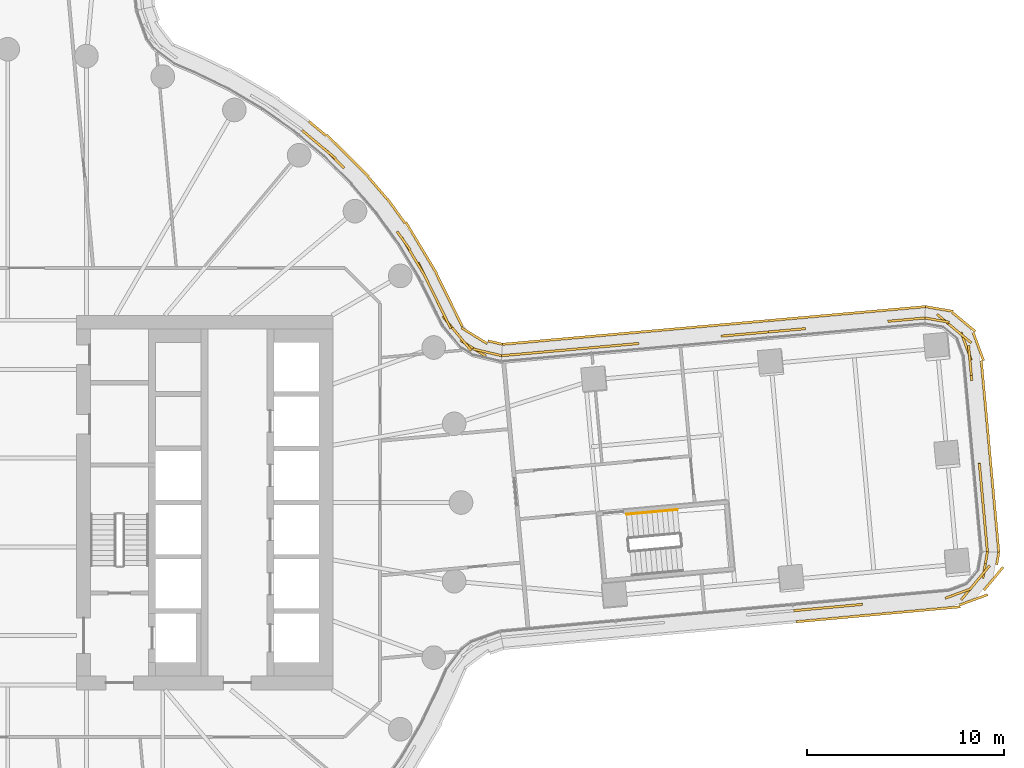
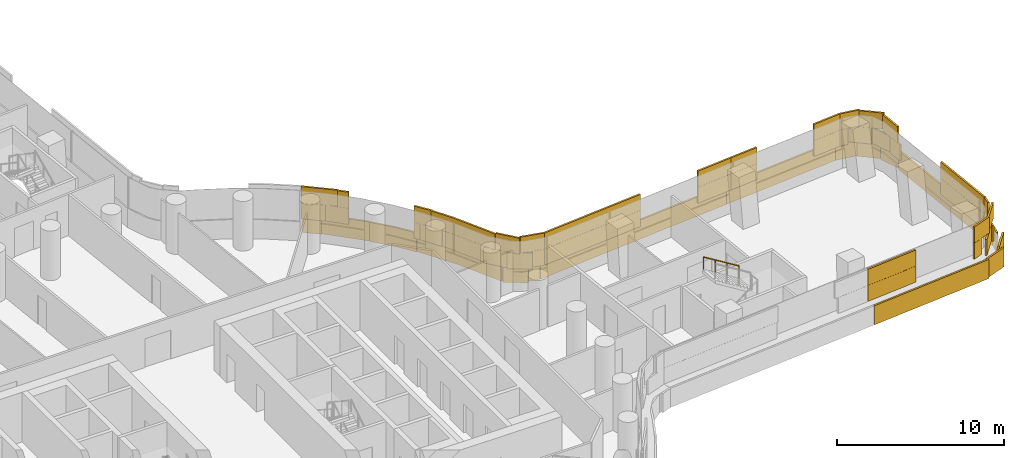
# One storey, part 29 of 31: 5 coverings, 1 railing.
"""IFC4 building model written with IfcOpenShell, lengths in metres."""

from ifc_helpers import new_model, si_unit, direction, frame, origin, origin_2d, place, context, subcontext, project, spatial, rectangle, circle, extrude, material, layer, layer_set, type_object, element, save


model = new_model("IFC4")

# Units and contexts
model_context = context("Model", 3, precision=1e-05, world=origin(), true_north=direction((0.0, 1.0)))
body_context = subcontext(model_context, "Body", "Model", "MODEL_VIEW")
ifc_project = project(units=[si_unit("LENGTHUNIT", "METRE"), si_unit("AREAUNIT", "SQUARE_METRE"), si_unit("VOLUMEUNIT", "CUBIC_METRE"), si_unit("PLANEANGLEUNIT", "RADIAN"), si_unit("MASSUNIT", "GRAM", prefix="KILO")], contexts=[model_context])

# Site, building, storey
site_placement = place(None, origin())
site = spatial("IfcSite", under=ifc_project, at=site_placement, CompositionType="ELEMENT")
building_placement = place(site_placement, origin())
building = spatial("IfcBuilding", under=site, at=building_placement, Name="Tamarind Cross Interchange Tower", CompositionType="ELEMENT")
storey_placement = place(building_placement, frame((0.0, 0.0, 52.75)))
storey = spatial("IfcBuildingStorey", under=building, at=storey_placement, Name="L11", CompositionType="ELEMENT", Elevation=52.75)

# Railing
ifc_material_1 = material(Name="Stair handrail")
railing_type = type_object("IfcRailingType", Name="Stair handrail", PredefinedType="HANDRAIL", material=ifc_material_1)
railing_placement = place(storey_placement, frame((33.982666015625, -0.360595703125, 2.04541015625)))
element("IfcRailing", 1, at=railing_placement, inside=storey, type_object=railing_type, Name="L11 ST3 stair handrail 2", PredefinedType="HANDRAIL", context=body_context, shape_type="SweptSolid", body=[
    extrude(circle(Radius=0.02392578125, at=origin_2d()), frame((0.0, 0.0, 0.8759765625), z_axis=(-0.832837574825, -0.076090855177, 0.548262487972), x_axis=(0.090984432689, -0.995852314858, 0.0)), (0.0, 0.0, 1.0), 3.109130859375),
    extrude(circle(Radius=0.02099609375, at=origin_2d()), origin(), (0.0, 0.0, 1.0), 0.851806640625),
    extrude(circle(Radius=0.02099609375, at=origin_2d()), frame((-0.863037109375, -0.078857421875, 0.568115234375)), (0.0, 0.0, 1.0), 0.851806640625),
    extrude(circle(Radius=0.02099609375, at=origin_2d()), frame((-1.726318359375, -0.15771484375, 1.136474609375)), (0.0, 0.0, 1.0), 0.851806640625),
    extrude(circle(Radius=0.02099609375, at=origin_2d()), frame((-2.58935546875, -0.236572265625, 1.70458984375)), (0.0, 0.0, 1.0), 0.851806640625),
])

# Coverings
ifc_material_2 = material(Name="Terracotta", Category="masonry")
ifc_layer = layer(ifc_material_2, 0.1201171875)
ifc_layer_set = layer_set([ifc_layer], Name="Terracotta")
covering_type = type_object("IfcCoveringType", Name="Terracotta baguette screen unit", PredefinedType="MOLDING", material=ifc_layer_set)
covering_1_placement = place(storey_placement, origin())
element("IfcCovering", 2, at=covering_1_placement, inside=storey, type_object=covering_type, Name="SCR-L11-11-01", PredefinedType="MOLDING", context=body_context, shape_type="SweptSolid", body=[
    extrude(rectangle(XDim=0.852294921875, YDim=0.1201171875, at=origin_2d()), frame((40.3046875, -5.446044921875, 1.404052734375), z_axis=(0.0, 0.0, 1.0), x_axis=(0.995846347162, 0.091049727316, 0.0)), (0.0, 0.0, 1.0), 1.1669921875),
    extrude(rectangle(XDim=1.52001953125, YDim=0.1201171875, at=origin_2d()), frame((41.470947265625, -5.33935546875, 1.404052734375), z_axis=(0.0, 0.0, 1.0), x_axis=(0.995846347162, 0.091049727316, 0.0)), (0.0, 0.0, 1.0), 1.1669921875),
    extrude(rectangle(XDim=1.16796875, YDim=0.1201171875, at=origin_2d()), frame((42.79443359375, -5.21826171875, 1.404052734375), z_axis=(0.0, 0.0, 1.0), x_axis=(0.995846347162, 0.091049727316, 0.0)), (0.0, 0.0, 1.0), 1.1669921875),
    extrude(rectangle(XDim=0.652099609375, YDim=0.1201171875, at=origin_2d()), frame((47.870361328125, -4.7421875, 1.404052734375), z_axis=(0.0, 0.0, 1.0), x_axis=(0.938348302259, 0.345691283732, 0.0)), (0.0, 0.0, 1.0), 1.1669921875),
    extrude(rectangle(XDim=1.52001953125, YDim=0.1201171875, at=origin_2d()), frame((48.861572265625, -4.35205078125, 1.404052734375), z_axis=(0.0, 0.0, 1.0), x_axis=(0.639787825488, 0.768551584708, 0.0)), (0.0, 0.0, 1.0), 1.1669921875),
    extrude(rectangle(XDim=1.3681640625, YDim=0.1201171875, at=origin_2d()), frame((49.591552734375, -3.168701171875, 1.404052734375), z_axis=(0.0, 0.0, 1.0), x_axis=(0.16979671755, 0.98547910922, 0.0)), (0.0, 0.0, 1.0), 1.1669921875),
    extrude(rectangle(XDim=0.102294921875, YDim=0.1201171875, at=origin_2d()), frame((39.93115234375, -5.480224609375, 2.5791015625), z_axis=(0.0, 0.0, 1.0), x_axis=(0.995846347162, 0.091049727316, 0.0)), (0.0, 0.0, 1.0), 1.1669921875),
    extrude(rectangle(XDim=1.52001953125, YDim=0.1201171875, at=origin_2d()), frame((40.723876953125, -5.40771484375, 2.5791015625), z_axis=(0.0, 0.0, 1.0), x_axis=(0.995846347162, 0.091049727316, 0.0)), (0.0, 0.0, 1.0), 1.1669921875),
    extrude(rectangle(XDim=1.52001953125, YDim=0.1201171875, at=origin_2d()), frame((42.2177734375, -5.27099609375, 2.5791015625), z_axis=(0.0, 0.0, 1.0), x_axis=(0.995846347162, 0.091049727316, 0.0)), (0.0, 0.0, 1.0), 1.1669921875),
    extrude(rectangle(XDim=0.41796875, YDim=0.1201171875, at=origin_2d()), frame((43.167724609375, -5.184326171875, 2.5791015625), z_axis=(0.0, 0.0, 1.0), x_axis=(0.995846347162, 0.091049727316, 0.0)), (0.0, 0.0, 1.0), 1.1669921875),
    extrude(rectangle(XDim=1.402099609375, YDim=0.1201171875, at=origin_2d()), frame((48.222412109375, -4.612548828125, 2.5791015625), z_axis=(0.0, 0.0, 1.0), x_axis=(0.938348302259, 0.345691283732, 0.0)), (0.0, 0.0, 1.0), 1.1669921875),
    extrude(rectangle(XDim=1.52001953125, YDim=0.1201171875, at=origin_2d()), frame((49.34130859375, -3.775634765625, 2.5791015625), z_axis=(0.0, 0.0, 1.0), x_axis=(0.639787825488, 0.768551584708, 0.0)), (0.0, 0.0, 1.0), 1.1669921875),
    extrude(rectangle(XDim=0.6181640625, YDim=0.1201171875, at=origin_2d()), frame((49.6552734375, -2.799072265625, 2.5791015625), z_axis=(0.0, 0.0, 1.0), x_axis=(0.16979671755, 0.98547910922, 0.0)), (0.0, 0.0, 1.0), 1.1669921875),
    extrude(rectangle(XDim=0.850341796875, YDim=0.1201171875, at=origin_2d()), frame((40.43505859375, -6.010498046875, 0.00390625), z_axis=(0.0, 0.0, 1.0), x_axis=(0.995846347162, 0.091049727316, 0.0)), (0.0, 0.0, 1.0), 1.39208984375),
    extrude(rectangle(XDim=1.52001953125, YDim=0.1201171875, at=origin_2d()), frame((41.595458984375, -5.904296875, 0.00390625), z_axis=(0.0, 0.0, 1.0), x_axis=(0.995846347162, 0.091049727316, 0.0)), (0.0, 0.0, 1.0), 1.39208984375),
    extrude(rectangle(XDim=1.52001953125, YDim=0.1201171875, at=origin_2d()), frame((43.089111328125, -5.767822265625, 0.00390625), z_axis=(0.0, 0.0, 1.0), x_axis=(0.995846347162, 0.091049727316, 0.0)), (0.0, 0.0, 1.0), 1.39208984375),
    extrude(rectangle(XDim=1.52001953125, YDim=0.1201171875, at=origin_2d()), frame((44.5830078125, -5.631103515625, 0.00390625), z_axis=(0.0, 0.0, 1.0), x_axis=(0.995846347162, 0.091049727316, 0.0)), (0.0, 0.0, 1.0), 1.39208984375),
    extrude(rectangle(XDim=1.52001953125, YDim=0.1201171875, at=origin_2d()), frame((46.07666015625, -5.49462890625, 0.00390625), z_axis=(0.0, 0.0, 1.0), x_axis=(0.995846347162, 0.091049727316, 0.0)), (0.0, 0.0, 1.0), 1.39208984375),
    extrude(rectangle(XDim=1.52001953125, YDim=0.1201171875, at=origin_2d()), frame((47.570556640625, -5.358154296875, 0.00390625), z_axis=(0.0, 0.0, 1.0), x_axis=(0.995846347162, 0.091049727316, 0.0)), (0.0, 0.0, 1.0), 1.39208984375),
    extrude(rectangle(XDim=1.52001953125, YDim=0.1201171875, at=origin_2d()), frame((49.000244140625, -4.9375, 0.00390625), z_axis=(0.0, 0.0, 1.0), x_axis=(0.938348302259, 0.345691283732, 0.0)), (0.0, 0.0, 1.0), 1.39208984375),
    extrude(rectangle(XDim=1.52001953125, YDim=0.1201171875, at=origin_2d()), frame((50.015380859375, -3.86328125, 0.00390625), z_axis=(0.0, 0.0, 1.0), x_axis=(0.639787825488, 0.768551584708, 0.0)), (0.0, 0.0, 1.0), 1.39208984375),
    extrude(rectangle(XDim=0.637451171875, YDim=0.1201171875, at=origin_2d()), frame((50.231201171875, -2.836669921875, 0.00390625), z_axis=(0.0, 0.0, 1.0), x_axis=(0.16979671755, 0.98547910922, 0.0)), (0.0, 0.0, 1.0), 1.39208984375),
])
covering_2_placement = place(storey_placement, origin())
element("IfcCovering", 3, at=covering_2_placement, inside=storey, type_object=covering_type, Name="SCR-L11-12-00", PredefinedType="MOLDING", context=body_context, shape_type="SweptSolid", body=[
    extrude(rectangle(XDim=0.760009765625, YDim=0.1201171875, at=origin_2d()), frame((49.672607421875, -2.1259765625, 1.404052734375), z_axis=(0.0, 0.0, 1.0), x_axis=(-0.091049727316, 0.995846347162, 0.0)), (0.0, 0.0, 1.0), 1.1669921875),
    extrude(rectangle(XDim=1.52001953125, YDim=0.1201171875, at=origin_2d()), frame((49.5703125, -1.005859375, 1.404052734375), z_axis=(0.0, 0.0, 1.0), x_axis=(-0.091049727316, 0.995846347162, 0.0)), (0.0, 0.0, 1.0), 1.1669921875),
    extrude(rectangle(XDim=1.52001953125, YDim=0.1201171875, at=origin_2d()), frame((49.43359375, 0.488037109375, 1.404052734375), z_axis=(0.0, 0.0, 1.0), x_axis=(-0.091049727316, 0.995846347162, 0.0)), (0.0, 0.0, 1.0), 1.1669921875),
    extrude(rectangle(XDim=0.78466796875, YDim=0.1201171875, at=origin_2d()), frame((49.330078125, 1.62060546875, 1.404052734375), z_axis=(0.0, 0.0, 1.0), x_axis=(-0.091049727316, 0.995846347162, 0.0)), (0.0, 0.0, 1.0), 1.1669921875),
    extrude(rectangle(XDim=1.03515625, YDim=0.1201171875, at=origin_2d()), frame((48.86572265625, 6.699462890625, 1.404052734375), z_axis=(0.0, 0.0, 1.0), x_axis=(-0.091049727316, 0.995846347162, 0.0)), (0.0, 0.0, 1.0), 1.1669921875),
    extrude(rectangle(XDim=1.52001953125, YDim=0.1201171875, at=origin_2d()), frame((48.62939453125, 7.929443359375, 1.404052734375), z_axis=(0.0, 0.0, 1.0), x_axis=(-0.345691283732, 0.938348302259, 0.0)), (0.0, 0.0, 1.0), 1.1669921875),
    extrude(rectangle(XDim=1.52001953125, YDim=0.1201171875, at=origin_2d()), frame((47.728271484375, 9.06689453125, 1.404052734375), z_axis=(0.0, 0.0, 1.0), x_axis=(-0.768551584708, 0.639787825488, 0.0)), (0.0, 0.0, 1.0), 1.1669921875),
    extrude(rectangle(XDim=0.509521484375, YDim=0.1201171875, at=origin_2d()), frame((46.78173828125, 9.3203125, 1.404052734375), z_axis=(0.0, 0.0, 1.0), x_axis=(-0.98547910922, 0.16979671755, 0.0)), (0.0, 0.0, 1.0), 1.1669921875),
    extrude(rectangle(XDim=1.510009765625, YDim=0.1201171875, at=origin_2d()), frame((49.638427734375, -1.752685546875, 2.5791015625), z_axis=(0.0, 0.0, 1.0), x_axis=(-0.091049727316, 0.995846347162, 0.0)), (0.0, 0.0, 1.0), 1.1669921875),
    extrude(rectangle(XDim=1.52001953125, YDim=0.1201171875, at=origin_2d()), frame((49.501953125, -0.2587890625, 2.5791015625), z_axis=(0.0, 0.0, 1.0), x_axis=(-0.091049727316, 0.995846347162, 0.0)), (0.0, 0.0, 1.0), 1.1669921875),
    extrude(rectangle(XDim=1.52001953125, YDim=0.1201171875, at=origin_2d()), frame((49.365478515625, 1.23486328125, 2.5791015625), z_axis=(0.0, 0.0, 1.0), x_axis=(-0.091049727316, 0.995846347162, 0.0)), (0.0, 0.0, 1.0), 1.1669921875),
    extrude(rectangle(XDim=1.52001953125, YDim=0.1201171875, at=origin_2d()), frame((48.819091796875, 7.2099609375, 2.5791015625), z_axis=(0.0, 0.0, 1.0), x_axis=(-0.091049727316, 0.995846347162, 0.0)), (0.0, 0.0, 1.0), 1.1669921875),
    extrude(rectangle(XDim=1.52001953125, YDim=0.1201171875, at=origin_2d()), frame((48.3046875, 8.5869140625, 2.5791015625), z_axis=(0.0, 0.0, 1.0), x_axis=(-0.768551584708, 0.639787825488, 0.0)), (0.0, 0.0, 1.0), 1.1669921875),
    extrude(rectangle(XDim=1.259521484375, YDim=0.1201171875, at=origin_2d()), frame((47.151123046875, 9.2568359375, 2.5791015625), z_axis=(0.0, 0.0, 1.0), x_axis=(-0.98547910922, 0.16979671755, 0.0)), (0.0, 0.0, 1.0), 1.1669921875),
    extrude(rectangle(XDim=0.760009765625, YDim=0.1201171875, at=origin_2d()), frame((50.250732421875, -2.14404296875, 0.00390625), z_axis=(0.0, 0.0, 1.0), x_axis=(-0.091049727316, 0.995846347162, 0.0)), (0.0, 0.0, 1.0), 1.39208984375),
    extrude(rectangle(XDim=1.52001953125, YDim=0.1201171875, at=origin_2d()), frame((50.148681640625, -1.02880859375, 0.00390625), z_axis=(0.0, 0.0, 1.0), x_axis=(-0.091049727316, 0.995846347162, 0.0)), (0.0, 0.0, 1.0), 1.39208984375),
    extrude(rectangle(XDim=1.52001953125, YDim=0.1201171875, at=origin_2d()), frame((50.01220703125, 0.465087890625, 0.00390625), z_axis=(0.0, 0.0, 1.0), x_axis=(-0.091049727316, 0.995846347162, 0.0)), (0.0, 0.0, 1.0), 1.39208984375),
    extrude(rectangle(XDim=1.52001953125, YDim=0.1201171875, at=origin_2d()), frame((49.87548828125, 1.958740234375, 0.00390625), z_axis=(0.0, 0.0, 1.0), x_axis=(-0.091049727316, 0.995846347162, 0.0)), (0.0, 0.0, 1.0), 1.39208984375),
    extrude(rectangle(XDim=1.52001953125, YDim=0.1201171875, at=origin_2d()), frame((49.739013671875, 3.45263671875, 0.00390625), z_axis=(0.0, 0.0, 1.0), x_axis=(-0.091049727316, 0.995846347162, 0.0)), (0.0, 0.0, 1.0), 1.39208984375),
    extrude(rectangle(XDim=1.52001953125, YDim=0.1201171875, at=origin_2d()), frame((49.6025390625, 4.9462890625, 0.00390625), z_axis=(0.0, 0.0, 1.0), x_axis=(-0.091049727316, 0.995846347162, 0.0)), (0.0, 0.0, 1.0), 1.39208984375),
    extrude(rectangle(XDim=1.52001953125, YDim=0.1201171875, at=origin_2d()), frame((49.4658203125, 6.440185546875, 0.00390625), z_axis=(0.0, 0.0, 1.0), x_axis=(-0.091049727316, 0.995846347162, 0.0)), (0.0, 0.0, 1.0), 1.39208984375),
    extrude(rectangle(XDim=1.52001953125, YDim=0.1201171875, at=origin_2d()), frame((49.24658203125, 7.915283203125, 0.00390625), z_axis=(0.0, 0.0, 1.0), x_axis=(-0.345691283732, 0.938348302259, 0.0)), (0.0, 0.0, 1.0), 1.39208984375),
    extrude(rectangle(XDim=1.52001953125, YDim=0.1201171875, at=origin_2d()), frame((48.506103515625, 9.166015625, 0.00390625), z_axis=(0.0, 0.0, 1.0), x_axis=(-0.768551584708, 0.639787825488, 0.0)), (0.0, 0.0, 1.0), 1.39208984375),
    extrude(rectangle(XDim=1.42626953125, YDim=0.1201171875, at=origin_2d()), frame((47.261962890625, 9.820068359375, 0.00390625), z_axis=(0.0, 0.0, 1.0), x_axis=(-0.98547910922, 0.16979671755, 0.0)), (0.0, 0.0, 1.0), 1.39208984375),
])
covering_3_placement = place(storey_placement, origin())
element("IfcCovering", 4, at=covering_3_placement, inside=storey, type_object=covering_type, Name="SCR-L11-13-00", PredefinedType="MOLDING", context=body_context, shape_type="SweptSolid", body=[
    extrude(rectangle(XDim=0.760009765625, YDim=0.1201171875, at=origin_2d()), frame((46.162109375, 9.32958984375, 1.404052734375), z_axis=(0.0, 0.0, 1.0), x_axis=(-0.996059781171, -0.088684340968, 0.0)), (0.0, 0.0, 1.0), 1.1669921875),
    extrude(rectangle(XDim=1.146484375, YDim=0.1201171875, at=origin_2d()), frame((45.222412109375, 9.245849609375, 1.404052734375), z_axis=(0.0, 0.0, 1.0), x_axis=(-0.996059781171, -0.088684340968, 0.0)), (0.0, 0.0, 1.0), 1.1669921875),
    extrude(rectangle(XDim=0.673583984375, YDim=0.1201171875, at=origin_2d()), frame((40.142578125, 8.793701171875, 1.404052734375), z_axis=(0.0, 0.0, 1.0), x_axis=(-0.996059781171, -0.088684340968, 0.0)), (0.0, 0.0, 1.0), 1.1669921875),
    extrude(rectangle(XDim=1.233154296875, YDim=0.1201171875, at=origin_2d()), frame((39.202880859375, 8.7099609375, 1.404052734375), z_axis=(0.0, 0.0, 1.0), x_axis=(-0.996059781171, -0.088684340968, 0.0)), (0.0, 0.0, 1.0), 1.1669921875),
    extrude(rectangle(XDim=1.510009765625, YDim=0.1201171875, at=origin_2d()), frame((45.78857421875, 9.29638671875, 2.5791015625), z_axis=(0.0, 0.0, 1.0), x_axis=(-0.996059781171, -0.088684340968, 0.0)), (0.0, 0.0, 1.0), 1.1669921875),
    extrude(rectangle(XDim=0.396484375, YDim=0.1201171875, at=origin_2d()), frame((44.848876953125, 9.212646484375, 2.5791015625), z_axis=(0.0, 0.0, 1.0), x_axis=(-0.996059781171, -0.088684340968, 0.0)), (0.0, 0.0, 1.0), 1.1669921875),
    extrude(rectangle(XDim=1.423583984375, YDim=0.1201171875, at=origin_2d()), frame((39.76904296875, 8.76025390625, 2.5791015625), z_axis=(0.0, 0.0, 1.0), x_axis=(-0.996059781171, -0.088684340968, 0.0)), (0.0, 0.0, 1.0), 1.1669921875),
    extrude(rectangle(XDim=0.483154296875, YDim=0.1201171875, at=origin_2d()), frame((38.82958984375, 8.6767578125, 2.5791015625), z_axis=(0.0, 0.0, 1.0), x_axis=(-0.996059781171, -0.088684340968, 0.0)), (0.0, 0.0, 1.0), 1.1669921875),
    extrude(rectangle(XDim=0.760009765625, YDim=0.1201171875, at=origin_2d()), frame((46.1806640625, 9.907470703125, 0.00390625), z_axis=(0.0, 0.0, 1.0), x_axis=(-0.996059781171, -0.088684340968, 0.0)), (0.0, 0.0, 1.0), 1.39208984375),
    extrude(rectangle(XDim=1.52001953125, YDim=0.1201171875, at=origin_2d()), frame((45.065185546875, 9.80810546875, 0.00390625), z_axis=(0.0, 0.0, 1.0), x_axis=(-0.996059781171, -0.088684340968, 0.0)), (0.0, 0.0, 1.0), 1.39208984375),
    extrude(rectangle(XDim=1.52001953125, YDim=0.1201171875, at=origin_2d()), frame((43.571044921875, 9.675048828125, 0.00390625), z_axis=(0.0, 0.0, 1.0), x_axis=(-0.996059781171, -0.088684340968, 0.0)), (0.0, 0.0, 1.0), 1.39208984375),
    extrude(rectangle(XDim=1.52001953125, YDim=0.1201171875, at=origin_2d()), frame((42.076904296875, 9.5419921875, 0.00390625), z_axis=(0.0, 0.0, 1.0), x_axis=(-0.996059781171, -0.088684340968, 0.0)), (0.0, 0.0, 1.0), 1.39208984375),
    extrude(rectangle(XDim=1.52001953125, YDim=0.1201171875, at=origin_2d()), frame((40.582763671875, 9.4091796875, 0.00390625), z_axis=(0.0, 0.0, 1.0), x_axis=(-0.996059781171, -0.088684340968, 0.0)), (0.0, 0.0, 1.0), 1.39208984375),
    extrude(rectangle(XDim=1.2265625, YDim=0.1201171875, at=origin_2d()), frame((39.23486328125, 9.2890625, 0.00390625), z_axis=(0.0, 0.0, 1.0), x_axis=(-0.996059781171, -0.088684340968, 0.0)), (0.0, 0.0, 1.0), 1.39208984375),
])
covering_4_placement = place(storey_placement, origin())
element("IfcCovering", 5, at=covering_4_placement, inside=storey, type_object=covering_type, Name="SCR-L11-13-01", PredefinedType="MOLDING", context=body_context, shape_type="SweptSolid", body=[
    extrude(rectangle(XDim=0.286865234375, YDim=0.1201171875, at=origin_2d()), frame((38.4560546875, 8.6435546875, 1.404052734375), z_axis=(0.0, 0.0, 1.0), x_axis=(-0.996059781171, -0.088684340968, 0.0)), (0.0, 0.0, 1.0), 1.1669921875),
    extrude(rectangle(XDim=1.52001953125, YDim=0.1201171875, at=origin_2d()), frame((37.571044921875, 8.564697265625, 1.404052734375), z_axis=(0.0, 0.0, 1.0), x_axis=(-0.996059781171, -0.088684340968, 0.0)), (0.0, 0.0, 1.0), 1.1669921875),
    extrude(rectangle(XDim=0.632568359375, YDim=0.1201171875, at=origin_2d()), frame((36.513916015625, 8.470458984375, 1.404052734375), z_axis=(0.0, 0.0, 1.0), x_axis=(-0.996059781171, -0.088684340968, 0.0)), (0.0, 0.0, 1.0), 1.1669921875),
    extrude(rectangle(XDim=1.1875, YDim=0.1201171875, at=origin_2d()), frame((31.43408203125, 8.018310546875, 1.404052734375), z_axis=(0.0, 0.0, 1.0), x_axis=(-0.996059781171, -0.088684340968, 0.0)), (0.0, 0.0, 1.0), 1.1669921875),
    extrude(rectangle(XDim=1.52001953125, YDim=0.1201171875, at=origin_2d()), frame((30.1005859375, 7.8994140625, 1.404052734375), z_axis=(0.0, 0.0, 1.0), x_axis=(-0.996059781171, -0.088684340968, 0.0)), (0.0, 0.0, 1.0), 1.1669921875),
    extrude(rectangle(XDim=1.52001953125, YDim=0.1201171875, at=origin_2d()), frame((28.6064453125, 7.7666015625, 1.404052734375), z_axis=(0.0, 0.0, 1.0), x_axis=(-0.996059781171, -0.088684340968, 0.0)), (0.0, 0.0, 1.0), 1.1669921875),
    extrude(rectangle(XDim=1.52001953125, YDim=0.1201171875, at=origin_2d()), frame((27.1123046875, 7.633544921875, 1.404052734375), z_axis=(0.0, 0.0, 1.0), x_axis=(-0.996059781171, -0.088684340968, 0.0)), (0.0, 0.0, 1.0), 1.1669921875),
    extrude(rectangle(XDim=1.320556640625, YDim=0.1201171875, at=origin_2d()), frame((25.712646484375, 7.5087890625, 1.404052734375), z_axis=(0.0, 0.0, 1.0), x_axis=(-0.996059781171, -0.088684340968, 0.0)), (0.0, 0.0, 1.0), 1.1669921875),
    extrude(rectangle(XDim=1.036865234375, YDim=0.1201171875, at=origin_2d()), frame((38.08251953125, 8.610107421875, 2.5791015625), z_axis=(0.0, 0.0, 1.0), x_axis=(-0.996059781171, -0.088684340968, 0.0)), (0.0, 0.0, 1.0), 1.1669921875),
    extrude(rectangle(XDim=1.382568359375, YDim=0.1201171875, at=origin_2d()), frame((36.887451171875, 8.50390625, 2.5791015625), z_axis=(0.0, 0.0, 1.0), x_axis=(-0.996059781171, -0.088684340968, 0.0)), (0.0, 0.0, 1.0), 1.1669921875),
    extrude(rectangle(XDim=0.4375, YDim=0.1201171875, at=origin_2d()), frame((31.8076171875, 8.051513671875, 2.5791015625), z_axis=(0.0, 0.0, 1.0), x_axis=(-0.996059781171, -0.088684340968, 0.0)), (0.0, 0.0, 1.0), 1.1669921875),
    extrude(rectangle(XDim=1.52001953125, YDim=0.1201171875, at=origin_2d()), frame((30.84765625, 7.966064453125, 2.5791015625), z_axis=(0.0, 0.0, 1.0), x_axis=(-0.996059781171, -0.088684340968, 0.0)), (0.0, 0.0, 1.0), 1.1669921875),
    extrude(rectangle(XDim=1.52001953125, YDim=0.1201171875, at=origin_2d()), frame((29.353515625, 7.8330078125, 2.5791015625), z_axis=(0.0, 0.0, 1.0), x_axis=(-0.996059781171, -0.088684340968, 0.0)), (0.0, 0.0, 1.0), 1.1669921875),
    extrude(rectangle(XDim=1.52001953125, YDim=0.1201171875, at=origin_2d()), frame((27.859375, 7.699951171875, 2.5791015625), z_axis=(0.0, 0.0, 1.0), x_axis=(-0.996059781171, -0.088684340968, 0.0)), (0.0, 0.0, 1.0), 1.1669921875),
    extrude(rectangle(XDim=1.52001953125, YDim=0.1201171875, at=origin_2d()), frame((26.365234375, 7.56689453125, 2.5791015625), z_axis=(0.0, 0.0, 1.0), x_axis=(-0.996059781171, -0.088684340968, 0.0)), (0.0, 0.0, 1.0), 1.1669921875),
    extrude(rectangle(XDim=0.570556640625, YDim=0.1201171875, at=origin_2d()), frame((25.339111328125, 7.4755859375, 2.5791015625), z_axis=(0.0, 0.0, 1.0), x_axis=(-0.996059781171, -0.088684340968, 0.0)), (0.0, 0.0, 1.0), 1.1669921875),
    extrude(rectangle(XDim=0.29345703125, YDim=0.1201171875, at=origin_2d()), frame((38.47802734375, 9.2216796875, 0.00390625), z_axis=(0.0, 0.0, 1.0), x_axis=(-0.996059781171, -0.088684340968, 0.0)), (0.0, 0.0, 1.0), 1.39208984375),
    extrude(rectangle(XDim=1.52001953125, YDim=0.1201171875, at=origin_2d()), frame((37.5947265625, 9.14306640625, 0.00390625), z_axis=(0.0, 0.0, 1.0), x_axis=(-0.996059781171, -0.088684340968, 0.0)), (0.0, 0.0, 1.0), 1.39208984375),
    extrude(rectangle(XDim=1.52001953125, YDim=0.1201171875, at=origin_2d()), frame((36.1005859375, 9.010009765625, 0.00390625), z_axis=(0.0, 0.0, 1.0), x_axis=(-0.996059781171, -0.088684340968, 0.0)), (0.0, 0.0, 1.0), 1.39208984375),
    extrude(rectangle(XDim=1.52001953125, YDim=0.1201171875, at=origin_2d()), frame((34.6064453125, 8.876953125, 0.00390625), z_axis=(0.0, 0.0, 1.0), x_axis=(-0.996059781171, -0.088684340968, 0.0)), (0.0, 0.0, 1.0), 1.39208984375),
    extrude(rectangle(XDim=1.52001953125, YDim=0.1201171875, at=origin_2d()), frame((33.1123046875, 8.743896484375, 0.00390625), z_axis=(0.0, 0.0, 1.0), x_axis=(-0.996059781171, -0.088684340968, 0.0)), (0.0, 0.0, 1.0), 1.39208984375),
    extrude(rectangle(XDim=1.52001953125, YDim=0.1201171875, at=origin_2d()), frame((31.618408203125, 8.61083984375, 0.00390625), z_axis=(0.0, 0.0, 1.0), x_axis=(-0.996059781171, -0.088684340968, 0.0)), (0.0, 0.0, 1.0), 1.39208984375),
    extrude(rectangle(XDim=1.52001953125, YDim=0.1201171875, at=origin_2d()), frame((30.124267578125, 8.477783203125, 0.00390625), z_axis=(0.0, 0.0, 1.0), x_axis=(-0.996059781171, -0.088684340968, 0.0)), (0.0, 0.0, 1.0), 1.39208984375),
    extrude(rectangle(XDim=1.52001953125, YDim=0.1201171875, at=origin_2d()), frame((28.630126953125, 8.344970703125, 0.00390625), z_axis=(0.0, 0.0, 1.0), x_axis=(-0.996059781171, -0.088684340968, 0.0)), (0.0, 0.0, 1.0), 1.39208984375),
    extrude(rectangle(XDim=1.52001953125, YDim=0.1201171875, at=origin_2d()), frame((27.135986328125, 8.2119140625, 0.00390625), z_axis=(0.0, 0.0, 1.0), x_axis=(-0.996059781171, -0.088684340968, 0.0)), (0.0, 0.0, 1.0), 1.39208984375),
    extrude(rectangle(XDim=1.302734375, YDim=0.1201171875, at=origin_2d()), frame((25.750244140625, 8.08837890625, 0.00390625), z_axis=(0.0, 0.0, 1.0), x_axis=(-0.996059781171, -0.088684340968, 0.0)), (0.0, 0.0, 1.0), 1.39208984375),
])
covering_5_placement = place(storey_placement, origin())
element("IfcCovering", 6, at=covering_5_placement, inside=storey, type_object=covering_type, Name="SCR-L11-14-00", PredefinedType="MOLDING", context=body_context, shape_type="SweptSolid", body=[
    extrude(rectangle(XDim=0.760009765625, YDim=0.1201171875, at=origin_2d()), frame((24.69482421875, 7.53662109375, 1.404052734375), z_axis=(0.0, 0.0, 1.0), x_axis=(-0.973367045631, 0.229252250764, 0.0)), (0.0, 0.0, 1.0), 1.1669921875),
    extrude(rectangle(XDim=1.52001953125, YDim=0.1201171875, at=origin_2d()), frame((23.614013671875, 7.82861328125, 1.404052734375), z_axis=(0.0, 0.0, 1.0), x_axis=(-0.850534890287, 0.525918625268, 0.0)), (0.0, 0.0, 1.0), 1.1669921875),
    extrude(rectangle(XDim=1.52001953125, YDim=0.1201171875, at=origin_2d()), frame((22.55419921875, 8.866455078125, 1.404052734375), z_axis=(0.0, 0.0, 1.0), x_axis=(-0.640013713724, 0.768363485757, 0.0)), (0.0, 0.0, 1.0), 1.1669921875),
    extrude(rectangle(XDim=1.52001953125, YDim=0.1201171875, at=origin_2d()), frame((21.820068359375, 10.16552734375, 1.404052734375), z_axis=(0.0, 0.0, 1.0), x_axis=(-0.443058811505, 0.896492548518, 0.0)), (0.0, 0.0, 1.0), 1.1669921875),
    extrude(rectangle(XDim=1.52001953125, YDim=0.1201171875, at=origin_2d()), frame((21.155517578125, 11.51025390625, 1.404052734375), z_axis=(0.0, 0.0, 1.0), x_axis=(-0.443058811505, 0.896492548518, 0.0)), (0.0, 0.0, 1.0), 1.1669921875),
    extrude(rectangle(XDim=1.52001953125, YDim=0.1201171875, at=origin_2d()), frame((20.3857421875, 12.797607421875, 1.404052734375), z_axis=(0.0, 0.0, 1.0), x_axis=(-0.515577308909, 0.856843065292, 0.0)), (0.0, 0.0, 1.0), 1.1669921875),
    extrude(rectangle(XDim=0.404052734375, YDim=0.1201171875, at=origin_2d()), frame((19.869384765625, 13.590576171875, 1.404052734375), z_axis=(0.0, 0.0, 1.0), x_axis=(-0.584573890505, 0.811340475102, 0.0)), (0.0, 0.0, 1.0), 1.1669921875),
    extrude(rectangle(XDim=1.416015625, YDim=0.1201171875, at=origin_2d()), frame((16.567138671875, 17.463134765625, 1.404052734375), z_axis=(0.0, 0.0, 1.0), x_axis=(-0.710143317658, 0.704057148523, 0.0)), (0.0, 0.0, 1.0), 1.1669921875),
    extrude(rectangle(XDim=1.478515625, YDim=0.1201171875, at=origin_2d()), frame((15.492431640625, 18.41552734375, 1.404052734375), z_axis=(0.0, 0.0, 1.0), x_axis=(-0.765858396687, 0.643009266048, 0.0)), (0.0, 0.0, 1.0), 1.1669921875),
    extrude(rectangle(XDim=1.510009765625, YDim=0.1201171875, at=origin_2d()), frame((24.329833984375, 7.62255859375, 2.5791015625), z_axis=(0.0, 0.0, 1.0), x_axis=(-0.973367045631, 0.229252250764, 0.0)), (0.0, 0.0, 1.0), 1.1669921875),
    extrude(rectangle(XDim=1.52001953125, YDim=0.1201171875, at=origin_2d()), frame((23.0341796875, 8.2900390625, 2.5791015625), z_axis=(0.0, 0.0, 1.0), x_axis=(-0.640013713724, 0.768363485757, 0.0)), (0.0, 0.0, 1.0), 1.1669921875),
    extrude(rectangle(XDim=1.52001953125, YDim=0.1201171875, at=origin_2d()), frame((22.151611328125, 9.49267578125, 2.5791015625), z_axis=(0.0, 0.0, 1.0), x_axis=(-0.440548226964, 0.897728945573, 0.0)), (0.0, 0.0, 1.0), 1.1669921875),
    extrude(rectangle(XDim=1.52001953125, YDim=0.1201171875, at=origin_2d()), frame((21.48779296875, 10.837890625, 2.5791015625), z_axis=(0.0, 0.0, 1.0), x_axis=(-0.443058811505, 0.896492548518, 0.0)), (0.0, 0.0, 1.0), 1.1669921875),
    extrude(rectangle(XDim=1.52001953125, YDim=0.1201171875, at=origin_2d()), frame((20.7724609375, 12.15478515625, 2.5791015625), z_axis=(0.0, 0.0, 1.0), x_axis=(-0.515577308909, 0.856843065292, 0.0)), (0.0, 0.0, 1.0), 1.1669921875),
    extrude(rectangle(XDim=1.154052734375, YDim=0.1201171875, at=origin_2d()), frame((20.088623046875, 13.2861328125, 2.5791015625), z_axis=(0.0, 0.0, 1.0), x_axis=(-0.584573890505, 0.811340475102, 0.0)), (0.0, 0.0, 1.0), 1.1669921875),
    extrude(rectangle(XDim=0.666015625, YDim=0.1201171875, at=origin_2d()), frame((16.83349609375, 17.198974609375, 2.5791015625), z_axis=(0.0, 0.0, 1.0), x_axis=(-0.710143317658, 0.704057148523, 0.0)), (0.0, 0.0, 1.0), 1.1669921875),
    extrude(rectangle(XDim=1.52001953125, YDim=0.1201171875, at=origin_2d()), frame((16.0546875, 17.943359375, 2.5791015625), z_axis=(0.0, 0.0, 1.0), x_axis=(-0.765858396687, 0.643009266048, 0.0)), (0.0, 0.0, 1.0), 1.1669921875),
    extrude(rectangle(XDim=0.728515625, YDim=0.1201171875, at=origin_2d()), frame((15.205078125, 18.65673828125, 2.5791015625), z_axis=(0.0, 0.0, 1.0), x_axis=(-0.765858396687, 0.643009266048, 0.0)), (0.0, 0.0, 1.0), 1.1669921875),
    extrude(rectangle(XDim=0.760009765625, YDim=0.1201171875, at=origin_2d()), frame((24.7314453125, 8.117919921875, 0.00390625), z_axis=(0.0, 0.0, 1.0), x_axis=(-0.973367045631, 0.229252250764, 0.0)), (0.0, 0.0, 1.0), 1.39208984375),
    extrude(rectangle(XDim=1.52001953125, YDim=0.1201171875, at=origin_2d()), frame((23.67822265625, 8.463623046875, 0.00390625), z_axis=(0.0, 0.0, 1.0), x_axis=(-0.850534890287, 0.525918625268, 0.0)), (0.0, 0.0, 1.0), 1.39208984375),
    extrude(rectangle(XDim=1.52001953125, YDim=0.1201171875, at=origin_2d()), frame((22.7314453125, 9.6142578125, 0.00390625), z_axis=(0.0, 0.0, 1.0), x_axis=(-0.440548226964, 0.897728945573, 0.0)), (0.0, 0.0, 1.0), 1.39208984375),
    extrude(rectangle(XDim=1.52001953125, YDim=0.1201171875, at=origin_2d()), frame((22.06787109375, 10.95947265625, 0.00390625), z_axis=(0.0, 0.0, 1.0), x_axis=(-0.443058811505, 0.896492548518, 0.0)), (0.0, 0.0, 1.0), 1.39208984375),
    extrude(rectangle(XDim=1.52001953125, YDim=0.1201171875, at=origin_2d()), frame((21.364990234375, 12.283203125, 0.00390625), z_axis=(0.0, 0.0, 1.0), x_axis=(-0.515577308909, 0.856843065292, 0.0)), (0.0, 0.0, 1.0), 1.39208984375),
    extrude(rectangle(XDim=1.52001953125, YDim=0.1201171875, at=origin_2d()), frame((20.591552734375, 13.568603515625, 0.00390625), z_axis=(0.0, 0.0, 1.0), x_axis=(-0.515577308909, 0.856843065292, 0.0)), (0.0, 0.0, 1.0), 1.39208984375),
    extrude(rectangle(XDim=1.52001953125, YDim=0.1201171875, at=origin_2d()), frame((19.715576171875, 14.785888671875, 0.00390625), z_axis=(0.0, 0.0, 1.0), x_axis=(-0.584573890505, 0.811340475102, 0.0)), (0.0, 0.0, 1.0), 1.39208984375),
    extrude(rectangle(XDim=1.52001953125, YDim=0.1201171875, at=origin_2d()), frame((18.776611328125, 15.954345703125, 0.00390625), z_axis=(0.0, 0.0, 1.0), x_axis=(-0.64957723968, 0.760295606781, 0.0)), (0.0, 0.0, 1.0), 1.39208984375),
    extrude(rectangle(XDim=1.52001953125, YDim=0.1201171875, at=origin_2d()), frame((17.77734375, 17.071533203125, 0.00390625), z_axis=(0.0, 0.0, 1.0), x_axis=(-0.710143317658, 0.704057148523, 0.0)), (0.0, 0.0, 1.0), 1.39208984375),
    extrude(rectangle(XDim=1.52001953125, YDim=0.1201171875, at=origin_2d()), frame((16.712158203125, 18.127685546875, 0.00390625), z_axis=(0.0, 0.0, 1.0), x_axis=(-0.710143317658, 0.704057148523, 0.0)), (0.0, 0.0, 1.0), 1.39208984375),
    extrude(rectangle(XDim=1.130859375, YDim=0.1201171875, at=origin_2d()), frame((15.71923828125, 18.974609375, 0.00390625), z_axis=(0.0, 0.0, 1.0), x_axis=(-0.765858396687, 0.643009266048, 0.0)), (0.0, 0.0, 1.0), 1.39208984375),
])

save(model, "model.ifc")
